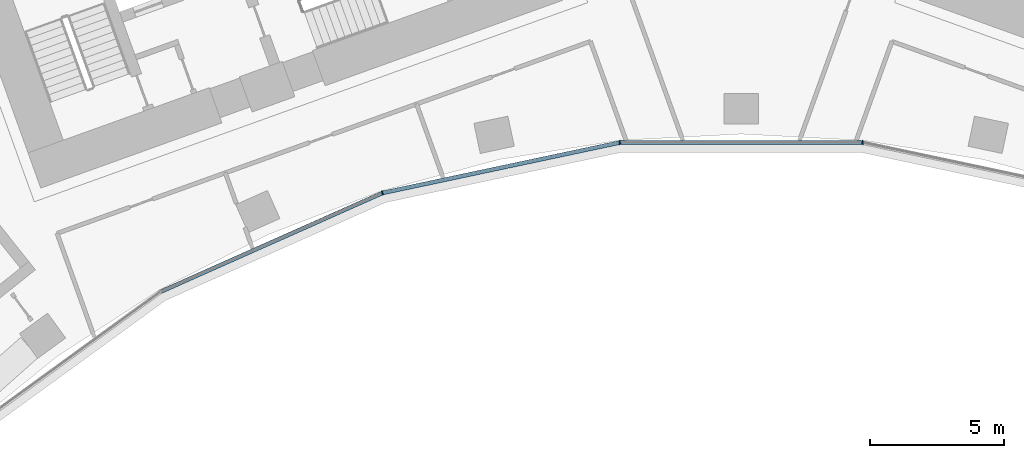
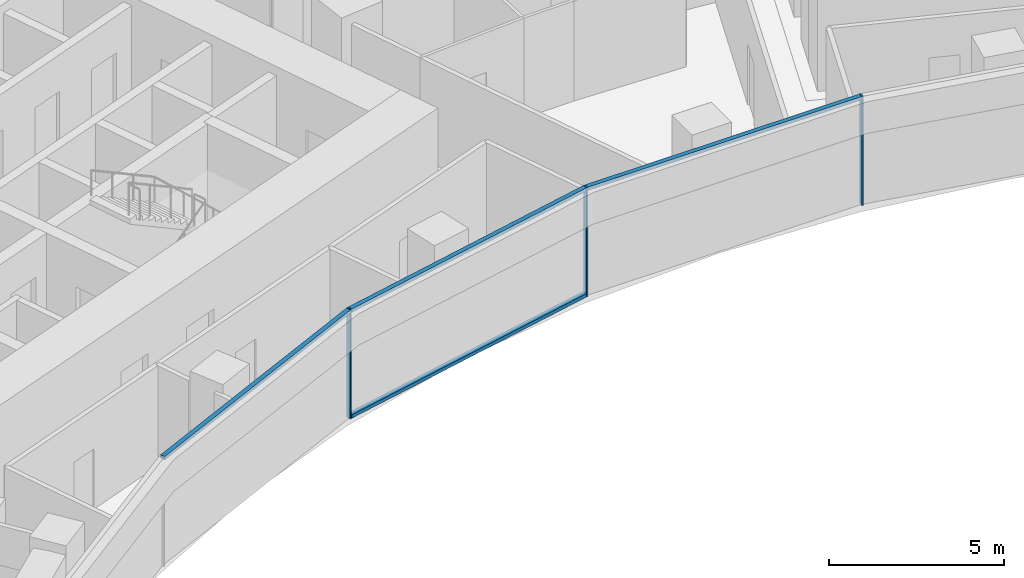
# One storey, part 4 of 22: 7 members, 1 element without a shape of its own.
"""IFC4 building model written with IfcOpenShell, lengths in metres."""

from ifc_helpers import new_model, si_unit, direction, frame, origin, origin_2d, place, context, subcontext, project, spatial, rectangle, extrude, material, layer, layer_set, material_profile, profile_set, type_object, element, aggregate, save


model = new_model("IFC4")

# Units and contexts
model_context = context("Model", 3, precision=1e-05, world=origin(), true_north=direction((0.0, 1.0)))
body_context = subcontext(model_context, "Body", "Model", "MODEL_VIEW")
ifc_project = project(units=[si_unit("LENGTHUNIT", "METRE"), si_unit("AREAUNIT", "SQUARE_METRE"), si_unit("VOLUMEUNIT", "CUBIC_METRE"), si_unit("PLANEANGLEUNIT", "RADIAN"), si_unit("MASSUNIT", "GRAM", prefix="KILO")], contexts=[model_context])

# Site, building, storey
site_placement = place(None, origin())
site = spatial("IfcSite", under=ifc_project, at=site_placement, CompositionType="ELEMENT")
building_placement = place(site_placement, origin())
building = spatial("IfcBuilding", under=site, at=building_placement, Name="Stone Belt Terrace Tower", CompositionType="ELEMENT")
storey_placement = place(building_placement, frame((0.0, 0.0, 121.199951171875)))
storey = spatial("IfcBuildingStorey", under=building, at=storey_placement, Name="L29", CompositionType="ELEMENT", Elevation=121.199951171875)

# Curtain wall, members
ifc_material = material(Name="Aluminium 6063-T6 anodised frame", Category="aluminium")
ifc_layer = layer(ifc_material, 0.14990234375)
ifc_layer_set = layer_set([ifc_layer], Name="CW-B unitised concave-face curtain wall")
curtain_wall_type = type_object("IfcCurtainWallType", Name="CW-B unitised concave-face curtain wall", PredefinedType="NOTDEFINED", material=ifc_layer_set)
curtain_wall_placement = place(storey_placement, origin())
curtain_wall = element("IfcCurtainWall", 1, at=curtain_wall_placement, inside=storey, type_object=curtain_wall_type, Name="CW-B concave face L29", PredefinedType="NOTDEFINED")
ifc_material_profile_1 = material_profile(ifc_material, rectangle(XDim=0.14990234375, YDim=0.050048828125, at=origin_2d()), Name="Aluminium 6063-T6 50x150")
ifc_profile_set_1 = profile_set([ifc_material_profile_1], Name="Aluminium 6063-T6 anodised frame")
member_type_1 = type_object("IfcMemberType", Name="CW-B mullion 50 x 150", PredefinedType="MULLION", material=ifc_profile_set_1)
member_1_placement = place(storey_placement, frame((-13.4189453125, 41.29931640625, 0.0), z_axis=(0.0, 0.0, 1.0), x_axis=(-0.309016994375, 0.951056516295, 0.0)))
member_1 = element("IfcMember", 2, at=member_1_placement, type_object=member_type_1, Name="CW-B mullion 4", PredefinedType="MULLION", context=body_context, shape_type="SweptSolid", body=[
    extrude(rectangle(XDim=0.14990234375, YDim=0.050048828125, at=origin_2d()), origin(), (0.0, 0.0, 1.0), 3.800048828125),
])
member_2_placement = place(storey_placement, frame((-4.5390625, 43.186767578125, 0.0), z_axis=(0.0, 0.0, 1.0), x_axis=(-0.104528463268, 0.994521895368, 0.0)))
member_2 = element("IfcMember", 3, at=member_2_placement, type_object=member_type_1, Name="CW-B mullion 5", PredefinedType="MULLION", context=body_context, shape_type="SweptSolid", body=[
    extrude(rectangle(XDim=0.14990234375, YDim=0.050048828125, at=origin_2d()), origin(), (0.0, 0.0, 1.0), 3.800048828125),
])
member_3_placement = place(storey_placement, frame((4.5390625, 43.186767578125, 0.0), z_axis=(0.0, 0.0, 1.0), x_axis=(0.104528463268, 0.994521895368, 0.0)))
member_3 = element("IfcMember", 4, at=member_3_placement, type_object=member_type_1, Name="CW-B mullion 6", PredefinedType="MULLION", context=body_context, shape_type="SweptSolid", body=[
    extrude(rectangle(XDim=0.14990234375, YDim=0.050048828125, at=origin_2d()), origin(), (0.0, 0.0, 1.0), 3.800048828125),
])
ifc_material_profile_2 = material_profile(ifc_material, rectangle(XDim=0.14990234375, YDim=0.1201171875, at=origin_2d()), Name="Aluminium 6063-T6 150x120")
ifc_profile_set_2 = profile_set([ifc_material_profile_2], Name="Aluminium 6063-T6 anodised frame")
member_type_2 = type_object("IfcMemberType", Name="CW-B transom 120 x 150", PredefinedType="USERDEFINED", material=ifc_profile_set_2)
member_4_placement = place(storey_placement, frame((-21.682373046875, 37.6201171875, 3.739990234375), z_axis=(0.913548853737, 0.406729015237, 0.0), x_axis=(-0.406729015237, 0.913548853737, 0.0)))
member_4 = element("IfcMember", 5, at=member_4_placement, type_object=member_type_2, Name="CW-B transom 3.1", ObjectType="TRANSOM", PredefinedType="USERDEFINED", context=body_context, shape_type="SweptSolid", body=[
    extrude(rectangle(XDim=0.14990234375, YDim=0.1201171875, at=origin_2d()), origin(), (0.0, 0.0, 1.0), 9.0126953125),
])
member_5_placement = place(storey_placement, frame((-13.386962890625, 41.30615234375, 0.06005859375), z_axis=(0.9781499003, 0.207900871914, 0.0), x_axis=(-0.207900871914, 0.9781499003, 0.0)))
member_5 = element("IfcMember", 6, at=member_5_placement, type_object=member_type_2, Name="CW-B transom 4.1", ObjectType="TRANSOM", PredefinedType="USERDEFINED", context=body_context, shape_type="SweptSolid", body=[
    extrude(rectangle(XDim=0.14990234375, YDim=0.1201171875, at=origin_2d()), origin(), (0.0, 0.0, 1.0), 9.012939453125),
])
member_6_placement = place(storey_placement, frame((-13.386962890625, 41.30615234375, 3.739990234375), z_axis=(0.9781499003, 0.207900871914, 0.0), x_axis=(-0.207900871914, 0.9781499003, 0.0)))
member_6 = element("IfcMember", 7, at=member_6_placement, type_object=member_type_2, Name="CW-B transom 4.2", ObjectType="TRANSOM", PredefinedType="USERDEFINED", context=body_context, shape_type="SweptSolid", body=[
    extrude(rectangle(XDim=0.14990234375, YDim=0.1201171875, at=origin_2d()), origin(), (0.0, 0.0, 1.0), 9.012939453125),
])
member_7_placement = place(storey_placement, frame((-4.50634765625, 43.186767578125, 3.739990234375), z_axis=(1.0, 0.0, 0.0), x_axis=(0.0, 1.0, 0.0)))
member_7 = element("IfcMember", 8, at=member_7_placement, type_object=member_type_2, Name="CW-B transom 5.1", ObjectType="TRANSOM", PredefinedType="USERDEFINED", context=body_context, shape_type="SweptSolid", body=[
    extrude(rectangle(XDim=0.14990234375, YDim=0.1201171875, at=origin_2d()), origin(), (0.0, 0.0, 1.0), 9.0126953125),
])
aggregate(curtain_wall, [member_1, member_2, member_3, member_4, member_5, member_6, member_7])

save(model, "model.ifc")
